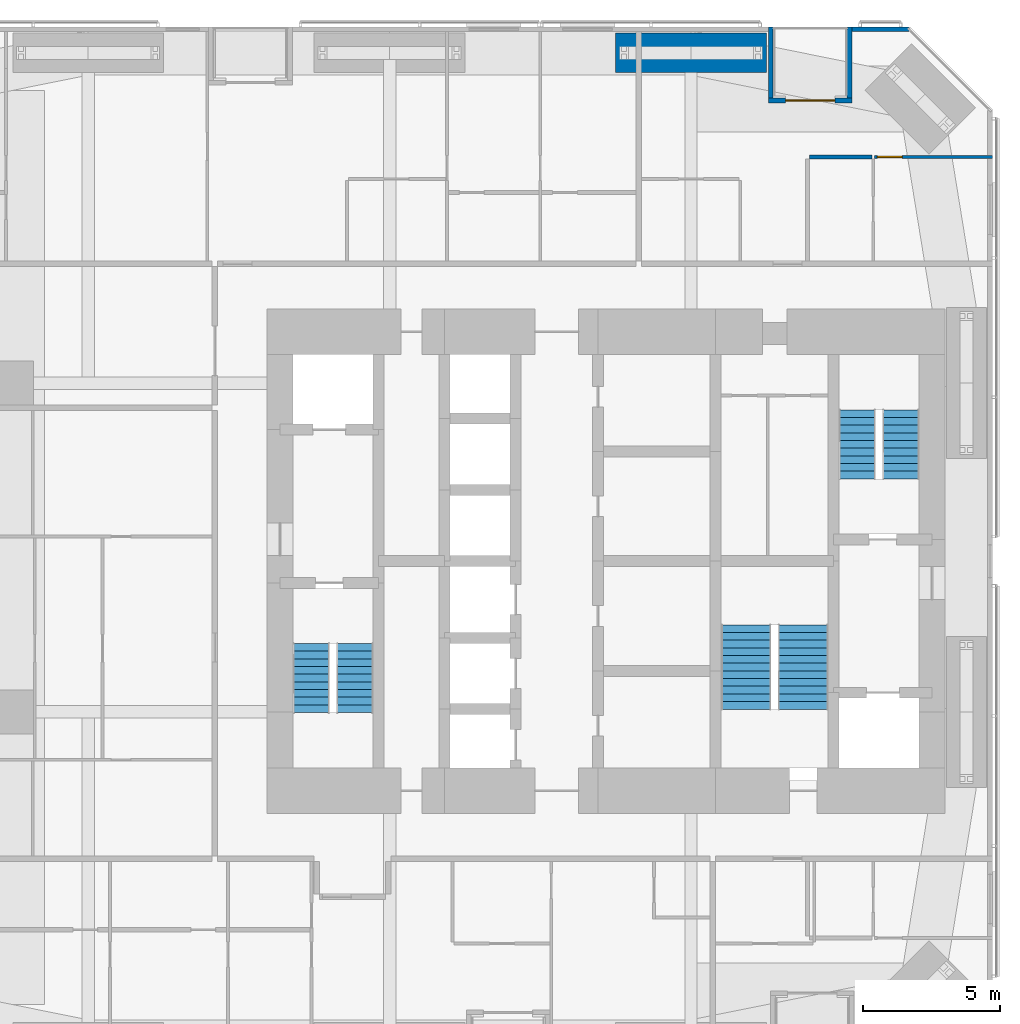
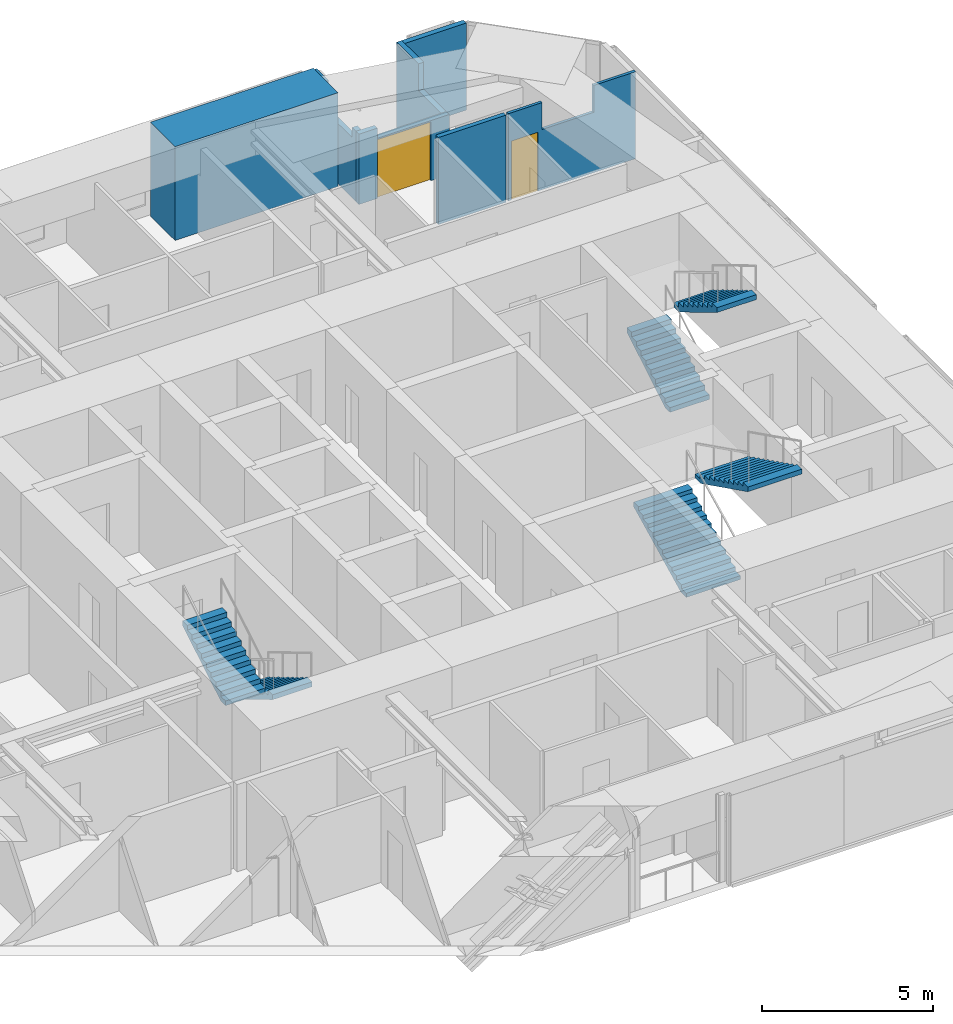
# One storey, part 23 of 24: 8 walls, 6 stair flights, 2 doors, 2 openings, 3 elements without a shape of their own.
"""IFC4 building model written with IfcOpenShell, lengths in metres."""

from ifc_helpers import new_model, si_unit, direction, frame, frame_2d, origin, place, context, subcontext, project, spatial, polyline, rectangle, outline, extrude, material, layer, layer_set, constituent, constituent_set, type_object, element, fill, aggregate, save


model = new_model("IFC4")

# Units and contexts
model_context = context("Model", 3, precision=1e-05, world=origin(), true_north=direction((0.0, 1.0)))
body_context = subcontext(model_context, "Body", "Model", "MODEL_VIEW")
ifc_project = project(units=[si_unit("LENGTHUNIT", "METRE"), si_unit("AREAUNIT", "SQUARE_METRE"), si_unit("VOLUMEUNIT", "CUBIC_METRE"), si_unit("PLANEANGLEUNIT", "RADIAN"), si_unit("MASSUNIT", "GRAM", prefix="KILO")], contexts=[model_context])

# Site, building, storey
site_placement = place(None, origin())
site = spatial("IfcSite", under=ifc_project, at=site_placement, CompositionType="ELEMENT")
building_placement = place(site_placement, origin())
building = spatial("IfcBuilding", under=site, at=building_placement, Name="Jalousie Tower", CompositionType="ELEMENT")
storey_placement = place(building_placement, frame((0.0, 0.0, 61.199951171875)))
storey = spatial("IfcBuildingStorey", under=building, at=storey_placement, Name="L16", CompositionType="ELEMENT", Elevation=61.199951171875)

# Walls
ifc_material_1 = material(Name="Concrete block ASTM C90", Category="concrete")
ifc_constituent_1 = constituent(ifc_material_1, Name="Body")
ifc_material_2 = material(Name="Render")
ifc_constituent_2 = constituent(ifc_material_2, Name="Finish")
ifc_constituent_set_1 = constituent_set(constituents=[ifc_constituent_1, ifc_constituent_2])
wall_type_1 = type_object("IfcWallType", Name="BATHROOM WALL 150", PredefinedType="PLUMBINGWALL", material=ifc_constituent_set_1)
wall_1_placement = place(storey_placement, frame((39.324951171875, 33.25341796875, 0.0), z_axis=(0.0, 0.0, 1.0), x_axis=(1.0, 0.0, 0.0)))
element("IfcWall", 1, at=wall_1_placement, inside=storey, type_object=wall_type_1, Name="Bathroom Wall 150 L16", PredefinedType="PLUMBINGWALL", context=body_context, shape_type="SweptSolid", body=[
    extrude(rectangle(XDim=2.275146484375, YDim=0.14990234375, at=frame_2d((1.1376953125, 0.0))), origin(), (0.0, 0.0, 1.0), 3.110107421875),
])
ifc_material_3 = material(Name="Concrete f'c 40 MPa", Category="concrete")
ifc_constituent_3 = constituent(ifc_material_3, Name="Body")
ifc_material_4 = material(Name="Render, pastel coral")
ifc_constituent_4 = constituent(ifc_material_4, Name="Finish")
ifc_constituent_set_2 = constituent_set(constituents=[ifc_constituent_3, ifc_constituent_4])
wall_type_2 = type_object("IfcWallType", Name="EXTERNAL WALL 175 CORAL RENDER", PredefinedType="SOLIDWALL", material=ifc_constituent_set_2)
wall_2_placement = place(storey_placement, frame((42.94873046875, 37.91259765625, 0.0), z_axis=(0.0, 0.0, 1.0), x_axis=(-1.0, 0.0, 0.0)))
element("IfcWall", 2, at=wall_2_placement, inside=storey, type_object=wall_type_2, Name="External Wall 175 Coral Render L16", PredefinedType="SOLIDWALL", context=body_context, shape_type="SweptSolid", body=[
    extrude(rectangle(XDim=2.074951171875, YDim=0.175048828125, at=frame_2d((1.03759765625, 0.0))), origin(), (0.0, 0.0, 1.0), 3.110107421875),
])

# Wall, opening, door
wall_3_placement = place(storey_placement, frame((40.873779296875, 35.3125, 0.0), z_axis=(0.0, 0.0, 1.0), x_axis=(-1.0, 0.0, 0.0)))
wall_3 = element("IfcWall", 3, at=wall_3_placement, inside=storey, type_object=wall_type_2, Name="External Wall 175 Coral Render L16-A", PredefinedType="SOLIDWALL", context=body_context, shape_type="SweptSolid", body=[
    extrude(rectangle(XDim=2.425048828125, YDim=0.175048828125, at=frame_2d((1.21240234375, 0.0))), origin(), (0.0, 0.0, 1.0), 2.150146484375),
])
opening_1_placement = place(wall_3_placement, frame((0.625, 0.0, 0.0)))
opening_1 = element("IfcOpeningElement", 4, at=opening_1_placement, cuts=wall_3, Name="Opening D-BAL21", PredefinedType="OPENING", context=body_context, shape_type="SweptSolid", body=[
    extrude(rectangle(XDim=1.800048828125, YDim=2.10009765625, at=frame_2d((0.89990234375, 1.050048828125))), frame((0.0, 0.097412109375, 0.0), z_axis=(0.0, -1.0, 0.0), x_axis=(1.0, 0.0, 0.0)), (0.0, 0.0, 1.0), 0.195068359375),
])
ifc_material_5 = material(Name="Aluminium frame, impact-rated glazing", Category="aluminium")
door_type_1 = type_object("IfcDoorType", Name="BALCONY DOOR 1800x2100", OperationType="SLIDING_TO_LEFT", PredefinedType="DOOR", material=ifc_material_5)
door_1_placement = place(opening_1_placement, origin())
door_1 = element("IfcDoor", 5, at=door_1_placement, inside=storey, type_object=door_type_1, Name="Apartment 1604 living and dining room loggia door", OperationType="SLIDING_TO_LEFT", OverallHeight=2.10009765625, OverallWidth=1.800048828125, PredefinedType="DOOR", context=body_context, shape_type="SweptSolid", body=[
    extrude(rectangle(XDim=1.800048828125, YDim=2.10009765625, at=frame_2d((0.89990234375, 1.050048828125))), frame((0.0, 0.02490234375, 0.0), z_axis=(0.0, -1.0, 0.0), x_axis=(1.0, 0.0, 0.0)), (0.0, 0.0, 1.0), 0.050048828125),
])
fill(opening_1, door_1)

# Walls
wall_4_placement = place(storey_placement, frame((38.44873046875, 35.3125, 0.0), z_axis=(0.0, 0.0, 1.0), x_axis=(-1.0, 0.0, 0.0)))
element("IfcWall", 6, at=wall_4_placement, inside=storey, type_object=wall_type_2, Name="External Wall 175 Coral Render L16-B", PredefinedType="SOLIDWALL", context=body_context, shape_type="SweptSolid", body=[
    extrude(rectangle(XDim=0.625, YDim=0.175048828125, at=frame_2d((0.3125, 0.0))), origin(), (0.0, 0.0, 1.0), 2.510009765625),
])
wall_5_placement = place(storey_placement, frame((40.7861328125, 38.0, 0.0), z_axis=(0.0, 0.0, 1.0), x_axis=(0.0, -1.0, 0.0)))
element("IfcWall", 7, at=wall_5_placement, inside=storey, type_object=wall_type_2, Name="External Wall 175 Coral Render L16", PredefinedType="SOLIDWALL", context=body_context, shape_type="SweptSolid", body=[
    extrude(outline(polyline([(0.0, 0.0), (2.60009765625, 0.0), (2.60009765625, 2.150146484375), (1.279052734375, 2.150146484375), (1.279052734375, 3.110107421875), (0.0, 3.110107421875), (0.0, 0.0)])), frame((0.0, 0.08740234375, 0.0), z_axis=(0.0, -1.0, 0.0), x_axis=(1.0, 0.0, 0.0)), (0.0, 0.0, 1.0), 0.175048828125),
])
wall_6_placement = place(storey_placement, frame((37.9111328125, 38.0, 0.0), z_axis=(0.0, 0.0, 1.0), x_axis=(0.0, -1.0, 0.0)))
element("IfcWall", 8, at=wall_6_placement, inside=storey, type_object=wall_type_2, Name="External Wall 175 Coral Render L16", PredefinedType="SOLIDWALL", context=body_context, shape_type="SweptSolid", body=[
    extrude(outline(polyline([(0.0, 0.0), (2.60009765625, 0.0), (2.60009765625, 2.510009765625), (2.368408203125, 2.510009765625), (2.368408203125, 2.150146484375), (0.701416015625, 2.150146484375), (0.701416015625, 3.110107421875), (0.0, 3.110107421875), (0.0, 0.0)])), frame((0.0, 0.08740234375, 0.0), z_axis=(0.0, -1.0, 0.0), x_axis=(1.0, 0.0, 0.0)), (0.0, 0.0, 1.0), 0.175048828125),
])

# Wall, opening, door
ifc_material_6 = material(Name="Gypsum board", Category="gypsum")
ifc_constituent_5 = constituent(ifc_material_6, Name="Body")
ifc_material_7 = material(Name="Light-gauge steel studs ASTM A653 SS Grade 33", Category="steel")
ifc_constituent_6 = constituent(ifc_material_7, Name="Framing")
ifc_constituent_set_3 = constituent_set(constituents=[ifc_constituent_5, ifc_constituent_6])
wall_type_3 = type_object("IfcWallType", Name="PARTITION 100", PredefinedType="PARTITIONING", material=ifc_constituent_set_3)
wall_7_placement = place(storey_placement, frame((41.699951171875, 33.25341796875, 0.0), z_axis=(0.0, 0.0, 1.0), x_axis=(1.0, 0.0, 0.0)))
wall_7 = element("IfcWall", 9, at=wall_7_placement, inside=storey, type_object=wall_type_3, Name="Partition 100 L16", PredefinedType="PARTITIONING", context=body_context, shape_type="SweptSolid", body=[
    extrude(outline(polyline([(0.0, 0.0), (4.300048828125, 0.0), (4.300048828125, 3.110107421875), (2.8828125, 3.110107421875), (2.8828125, 2.150146484375), (1.140380859375, 2.150146484375), (1.140380859375, 3.110107421875), (0.0, 3.110107421875), (0.0, 0.0)])), frame((0.0, 0.050048828125, 0.0), z_axis=(0.0, -1.0, 0.0), x_axis=(1.0, 0.0, 0.0)), (0.0, 0.0, 1.0), 0.10009765625),
])
opening_2_placement = place(wall_7_placement, frame((0.10009765625, 0.0, 0.0)))
opening_2 = element("IfcOpeningElement", 10, at=opening_2_placement, cuts=wall_7, Name="Opening D2", PredefinedType="OPENING", context=body_context, shape_type="SweptSolid", body=[
    extrude(rectangle(XDim=0.89990234375, YDim=2.10009765625, at=frame_2d((0.449951171875, 1.050048828125))), frame((0.0, 0.06005859375, 0.0), z_axis=(0.0, -1.0, 0.0), x_axis=(1.0, 0.0, 0.0)), (0.0, 0.0, 1.0), 0.1201171875),
])
ifc_material_8 = material(Name="Timber door", Category="wood")
door_type_2 = type_object("IfcDoorType", Name="BEDROOM DOOR 900", OperationType="SINGLE_SWING_LEFT", PredefinedType="DOOR", material=ifc_material_8)
door_2_placement = place(opening_2_placement, frame((0.89990234375, 0.0, 0.0), z_axis=(0.0, 0.0, 1.0), x_axis=(-1.0, 0.0, 0.0)))
door_2 = element("IfcDoor", 11, at=door_2_placement, inside=storey, type_object=door_type_2, Name="Apartment 1604 bedroom 1 door", OperationType="SINGLE_SWING_RIGHT", OverallHeight=2.10009765625, OverallWidth=0.89990234375, PredefinedType="DOOR", context=body_context, shape_type="SweptSolid", body=[
    extrude(rectangle(XDim=0.89990234375, YDim=2.10009765625, at=frame_2d((0.449951171875, 1.050048828125))), frame((0.0, 0.02490234375, 0.0), z_axis=(0.0, -1.0, 0.0), x_axis=(1.0, 0.0, 0.0)), (0.0, 0.0, 1.0), 0.050048828125),
])
fill(opening_2, door_2)

# Wall
ifc_material_9 = material(Name="Concrete f'c 120 MPa", Category="concrete")
ifc_layer = layer(ifc_material_9, 1.449951171875)
ifc_layer_set = layer_set([ifc_layer], Name="Concrete f'c 120 MPa")
wall_type_4 = type_object("IfcWallType", Name="RC WALL PIER 1450", PredefinedType="SHEAR", material=ifc_layer_set)
wall_8_placement = place(storey_placement, frame((32.25, 37.050048828125, 0.0), z_axis=(0.0, 0.0, 1.0), x_axis=(1.0, 0.0, 0.0)))
element("IfcWall", 12, at=wall_8_placement, inside=storey, type_object=wall_type_4, Name="Wall pier 09 L16", PredefinedType="SHEAR", context=body_context, shape_type="SweptSolid", body=[
    extrude(rectangle(XDim=5.5, YDim=1.449951171875, at=frame_2d((2.75, 0.0))), origin(), (0.0, 0.0, 1.0), 3.35009765625),
])

# Stair, stair flights
ifc_material_10 = material(Name="Concrete f'c 40 MPa", Category="concrete")
stair_type = type_object("IfcStairType", Name="EXIT STAIR", PredefinedType="HALF_TURN_STAIR", material=ifc_material_10)
stair_1_placement = place(storey_placement, origin())
stair_1 = element("IfcStair", 13, at=stair_1_placement, inside=storey, type_object=stair_type, Name="Exit stair A L16", PredefinedType="HALF_TURN_STAIR")
ifc_material_11 = material(Name="Concrete f'c 40 MPa", Category="concrete")
stair_flight_type = type_object("IfcStairFlightType", Name="STAIR FLIGHT", PredefinedType="STRAIGHT", material=ifc_material_11)
stair_flight_1_placement = place(storey_placement, frame((22.731201171875, 15.49755859375, 0.0), z_axis=(0.0, 0.0, 1.0), x_axis=(0.0, -1.0, 0.0)))
stair_flight_1 = element("IfcStairFlight", 14, at=stair_flight_1_placement, type_object=stair_flight_type, Name="ST-A flight 1", NumberOfRisers=10, NumberOfTreads=9, PredefinedType="STRAIGHT", RiserHeight=0.1675, TreadLength=0.28, context=body_context, shape_type="SweptSolid", body=[
    extrude(outline(polyline([(0.0, 0.0), (0.0, 0.16748046875), (0.280029296875, 0.16748046875), (0.280029296875, 0.3349609375), (0.56005859375, 0.3349609375), (0.56005859375, 0.50244140625), (0.840087890625, 0.50244140625), (0.840087890625, 0.669921875), (1.1201171875, 0.669921875), (1.1201171875, 0.83740234375), (1.39990234375, 0.83740234375), (1.39990234375, 1.0048828125), (1.679931640625, 1.0048828125), (1.679931640625, 1.172607421875), (1.9599609375, 1.172607421875), (1.9599609375, 1.340087890625), (2.239990234375, 1.340087890625), (2.239990234375, 1.507568359375), (2.52001953125, 1.507568359375), (2.52001953125, 1.675048828125), (2.52001953125, 1.332763671875), (0.2919921875, 0.0), (0.0, 0.0)])), frame((0.0, 0.668701171875, 0.0), z_axis=(0.0, -1.0, 0.0), x_axis=(1.0, 0.0, 0.0)), (0.0, 0.0, 1.0), 1.33740234375),
])
stair_flight_2_placement = place(storey_placement, frame((21.143798828125, 12.9775390625, 1.675048828125), z_axis=(0.0, 0.0, 1.0), x_axis=(0.0, 1.0, 0.0)))
stair_flight_2 = element("IfcStairFlight", 15, at=stair_flight_2_placement, type_object=stair_flight_type, Name="ST-A flight 2", NumberOfRisers=10, NumberOfTreads=9, PredefinedType="STRAIGHT", RiserHeight=0.1675, TreadLength=0.28, context=body_context, shape_type="SweptSolid", body=[
    extrude(outline(polyline([(0.0, 0.0), (0.0, 0.16748046875), (0.280029296875, 0.16748046875), (0.280029296875, 0.3349609375), (0.56005859375, 0.3349609375), (0.56005859375, 0.50244140625), (0.840087890625, 0.50244140625), (0.840087890625, 0.669921875), (1.1201171875, 0.669921875), (1.1201171875, 0.83740234375), (1.39990234375, 0.83740234375), (1.39990234375, 1.0048828125), (1.679931640625, 1.0048828125), (1.679931640625, 1.172607421875), (1.9599609375, 1.172607421875), (1.9599609375, 1.340087890625), (2.239990234375, 1.340087890625), (2.239990234375, 1.507568359375), (2.52001953125, 1.507568359375), (2.52001953125, 1.675048828125), (2.52001953125, 1.332763671875), (0.2919921875, 0.0), (0.0, 0.0)])), frame((0.0, 0.668701171875, 0.0), z_axis=(0.0, -1.0, 0.0), x_axis=(1.0, 0.0, 0.0)), (0.0, 0.0, 1.0), 1.33740234375),
])
aggregate(stair_1, [stair_flight_1, stair_flight_2])

stair_2_placement = place(storey_placement, origin())
stair_2 = element("IfcStair", 16, at=stair_2_placement, inside=storey, type_object=stair_type, Name="Exit stair B L16", PredefinedType="HALF_TURN_STAIR")
stair_flight_3_placement = place(storey_placement, frame((41.06884765625, 21.50244140625, 0.0), z_axis=(0.0, 0.0, 1.0), x_axis=(0.0, 1.0, 0.0)))
stair_flight_3 = element("IfcStairFlight", 17, at=stair_flight_3_placement, type_object=stair_flight_type, Name="ST-B flight 1", NumberOfRisers=10, NumberOfTreads=9, PredefinedType="STRAIGHT", RiserHeight=0.1675, TreadLength=0.28, context=body_context, shape_type="SweptSolid", body=[
    extrude(outline(polyline([(0.0, 0.0), (0.0, 0.16748046875), (0.280029296875, 0.16748046875), (0.280029296875, 0.3349609375), (0.56005859375, 0.3349609375), (0.56005859375, 0.50244140625), (0.840087890625, 0.50244140625), (0.840087890625, 0.669921875), (1.1201171875, 0.669921875), (1.1201171875, 0.83740234375), (1.39990234375, 0.83740234375), (1.39990234375, 1.0048828125), (1.679931640625, 1.0048828125), (1.679931640625, 1.172607421875), (1.9599609375, 1.172607421875), (1.9599609375, 1.340087890625), (2.239990234375, 1.340087890625), (2.239990234375, 1.507568359375), (2.52001953125, 1.507568359375), (2.52001953125, 1.675048828125), (2.52001953125, 1.332763671875), (0.2919921875, 0.0), (0.0, 0.0)])), frame((0.0, 0.668701171875, 0.0), z_axis=(0.0, -1.0, 0.0), x_axis=(1.0, 0.0, 0.0)), (0.0, 0.0, 1.0), 1.33740234375),
])
stair_flight_4_placement = place(storey_placement, frame((42.65625, 24.0224609375, 1.675048828125), z_axis=(0.0, 0.0, 1.0), x_axis=(0.0, -1.0, 0.0)))
stair_flight_4 = element("IfcStairFlight", 18, at=stair_flight_4_placement, type_object=stair_flight_type, Name="ST-B flight 2", NumberOfRisers=10, NumberOfTreads=9, PredefinedType="STRAIGHT", RiserHeight=0.1675, TreadLength=0.28, context=body_context, shape_type="SweptSolid", body=[
    extrude(outline(polyline([(0.0, 0.0), (0.0, 0.16748046875), (0.280029296875, 0.16748046875), (0.280029296875, 0.3349609375), (0.56005859375, 0.3349609375), (0.56005859375, 0.50244140625), (0.840087890625, 0.50244140625), (0.840087890625, 0.669921875), (1.1201171875, 0.669921875), (1.1201171875, 0.83740234375), (1.39990234375, 0.83740234375), (1.39990234375, 1.0048828125), (1.679931640625, 1.0048828125), (1.679931640625, 1.172607421875), (1.9599609375, 1.172607421875), (1.9599609375, 1.340087890625), (2.239990234375, 1.340087890625), (2.239990234375, 1.507568359375), (2.52001953125, 1.507568359375), (2.52001953125, 1.675048828125), (2.52001953125, 1.332763671875), (0.2919921875, 0.0), (0.0, 0.0)])), frame((0.0, 0.668701171875, 0.0), z_axis=(0.0, -1.0, 0.0), x_axis=(1.0, 0.0, 0.0)), (0.0, 0.0, 1.0), 1.33740234375),
])
aggregate(stair_2, [stair_flight_3, stair_flight_4])

stair_3_placement = place(storey_placement, origin())
stair_3 = element("IfcStair", 19, at=stair_3_placement, inside=storey, type_object=stair_type, Name="Exit stair C L16", PredefinedType="HALF_TURN_STAIR")
stair_flight_5_placement = place(storey_placement, frame((37.012451171875, 13.097412109375, 0.0), z_axis=(0.0, 0.0, 1.0), x_axis=(0.0, 1.0, 0.0)))
stair_flight_5 = element("IfcStairFlight", 20, at=stair_flight_5_placement, type_object=stair_flight_type, Name="ST-C flight 1", NumberOfRisers=12, NumberOfTreads=11, PredefinedType="STRAIGHT", RiserHeight=0.139583333, TreadLength=0.28, context=body_context, shape_type="SweptSolid", body=[
    extrude(outline(polyline([(0.0, 0.0), (0.0, 0.1396484375), (0.280029296875, 0.1396484375), (0.280029296875, 0.279052734375), (0.56005859375, 0.279052734375), (0.56005859375, 0.418701171875), (0.840087890625, 0.418701171875), (0.840087890625, 0.558349609375), (1.1201171875, 0.558349609375), (1.1201171875, 0.697998046875), (1.39990234375, 0.697998046875), (1.39990234375, 0.83740234375), (1.679931640625, 0.83740234375), (1.679931640625, 0.97705078125), (1.9599609375, 0.97705078125), (1.9599609375, 1.11669921875), (2.239990234375, 1.11669921875), (2.239990234375, 1.25634765625), (2.52001953125, 1.25634765625), (2.52001953125, 1.395751953125), (2.800048828125, 1.395751953125), (2.800048828125, 1.535400390625), (3.080078125, 1.535400390625), (3.080078125, 1.675048828125), (3.080078125, 1.367919921875), (0.3359375, 0.0), (0.0, 0.0)])), frame((0.0, 0.91259765625, 0.0), z_axis=(0.0, -1.0, 0.0), x_axis=(1.0, 0.0, 0.0)), (0.0, 0.0, 1.0), 1.824951171875),
])
stair_flight_6_placement = place(storey_placement, frame((39.08740234375, 16.177490234375, 1.675048828125), z_axis=(0.0, 0.0, 1.0), x_axis=(0.0, -1.0, 0.0)))
stair_flight_6 = element("IfcStairFlight", 21, at=stair_flight_6_placement, type_object=stair_flight_type, Name="ST-C flight 2", NumberOfRisers=12, NumberOfTreads=11, PredefinedType="STRAIGHT", RiserHeight=0.139583333, TreadLength=0.28, context=body_context, shape_type="SweptSolid", body=[
    extrude(outline(polyline([(0.0, 0.0), (0.0, 0.1396484375), (0.280029296875, 0.1396484375), (0.280029296875, 0.279052734375), (0.56005859375, 0.279052734375), (0.56005859375, 0.418701171875), (0.840087890625, 0.418701171875), (0.840087890625, 0.558349609375), (1.1201171875, 0.558349609375), (1.1201171875, 0.697998046875), (1.39990234375, 0.697998046875), (1.39990234375, 0.83740234375), (1.679931640625, 0.83740234375), (1.679931640625, 0.97705078125), (1.9599609375, 0.97705078125), (1.9599609375, 1.11669921875), (2.239990234375, 1.11669921875), (2.239990234375, 1.25634765625), (2.52001953125, 1.25634765625), (2.52001953125, 1.395751953125), (2.800048828125, 1.395751953125), (2.800048828125, 1.535400390625), (3.080078125, 1.535400390625), (3.080078125, 1.675048828125), (3.080078125, 1.367919921875), (0.3359375, 0.0), (0.0, 0.0)])), frame((0.0, 0.91259765625, 0.0), z_axis=(0.0, -1.0, 0.0), x_axis=(1.0, 0.0, 0.0)), (0.0, 0.0, 1.0), 1.824951171875),
])
aggregate(stair_3, [stair_flight_5, stair_flight_6])

save(model, "model.ifc")
